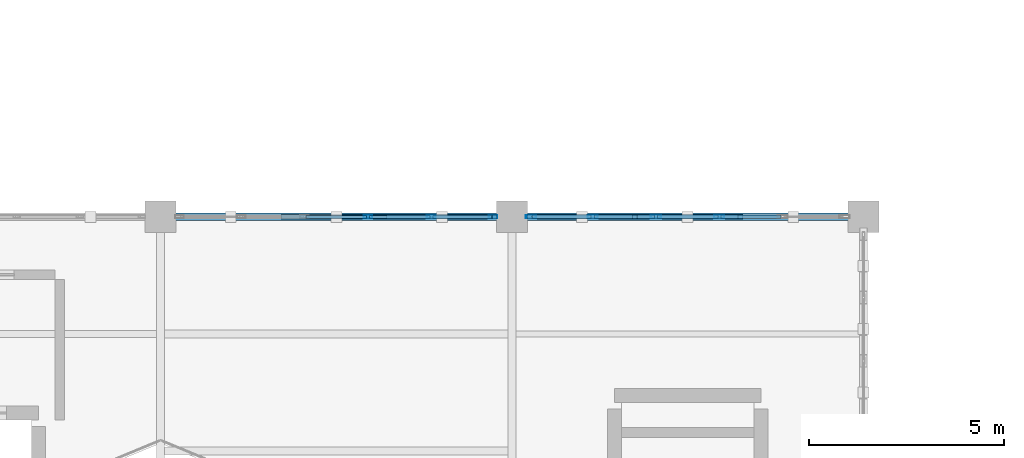
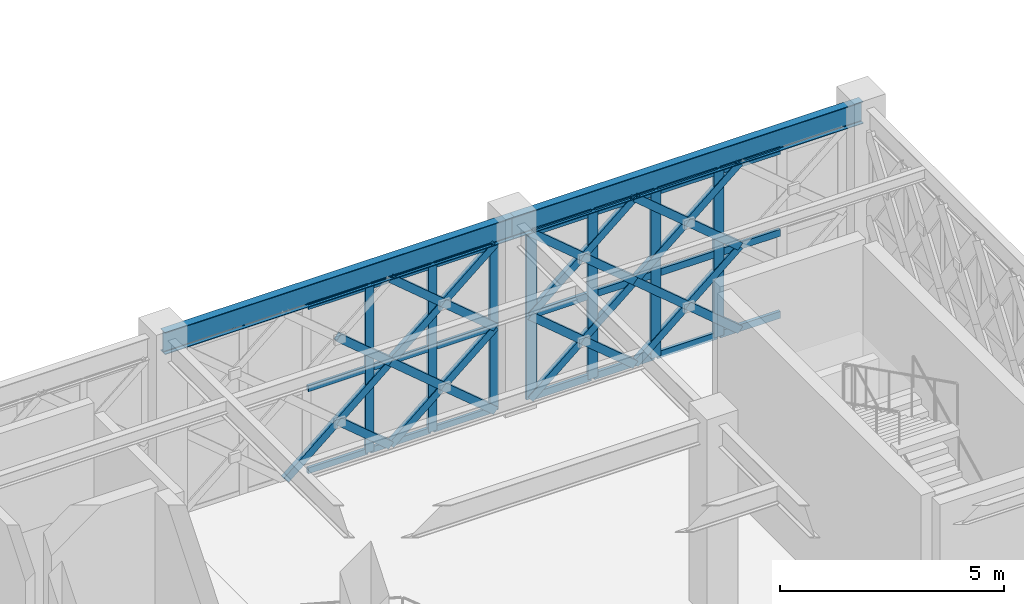
# One storey, part 19 of 86: 49 members, 2 beams, 2 elements without a shape of their own.
"""IFC4 building model written with IfcOpenShell, lengths in metres."""

from ifc_helpers import new_model, si_unit, direction, frame, origin, origin_2d, place, context, subcontext, project, spatial, hollow_rectangle, i_section, extrude, material, material_profile, profile_set, type_object, element, aggregate, save


model = new_model("IFC4")

# Units and contexts
model_context = context("Model", 3, precision=1e-05, world=origin(), true_north=direction((0.0, 1.0)))
body_context = subcontext(model_context, "Body", "Model", "MODEL_VIEW")
ifc_project = project(units=[si_unit("LENGTHUNIT", "METRE"), si_unit("AREAUNIT", "SQUARE_METRE"), si_unit("VOLUMEUNIT", "CUBIC_METRE"), si_unit("PLANEANGLEUNIT", "RADIAN"), si_unit("MASSUNIT", "GRAM", prefix="KILO")], contexts=[model_context])

# Site, building, storey
site_placement = place(None, origin())
site = spatial("IfcSite", under=ifc_project, at=site_placement, CompositionType="ELEMENT")
building_placement = place(site_placement, origin())
building = spatial("IfcBuilding", under=site, at=building_placement, Name="Haizhuo Lancet Aquarium", CompositionType="ELEMENT")
storey_placement = place(building_placement, frame((0.0, 0.0, 16.199951171875)))
storey = spatial("IfcBuildingStorey", under=building, at=storey_placement, Name="L03", CompositionType="ELEMENT", Elevation=16.199951171875)

# Beams
ifc_material_1 = material(Name="Steel S355", Category="steel")
ifc_material_profile_1 = material_profile(ifc_material_1, i_section(OverallWidth=0.199951171875, OverallDepth=0.60009765625, WebThickness=0.010986328125, FlangeThickness=0.01708984375, FilletRadius=0.02197265625, at=origin_2d()), Name="HN 600x200x11x17")
ifc_profile_set_1 = profile_set([ifc_material_profile_1], Name="Steel S355")
beam_type = type_object("IfcBeamType", Name="BM-ST-HN600", PredefinedType="BEAM", material=ifc_profile_set_1)
for number, where, z_axis, x_axis, name in (
    (1, (-54.0, -9.0, 4.85009765625), (1.0, 0.0, 0.0), (0.0, 1.0, 0.0), "L03 V6 primary girder BM-L03-V6-020"),
    (2, (-45.0, -9.0, 4.85009765625), (1.0, 0.0, 0.0), (0.0, 1.0, 0.0), "L03 V6 primary girder BM-L03-V6-026"),
):
    element("IfcBeam", number, at=place(storey_placement, frame(where, z_axis=z_axis, x_axis=x_axis)), inside=storey, type_object=beam_type, Name=name, PredefinedType="BEAM", context=body_context, shape_type="SweptSolid", body=[
        extrude(i_section(OverallWidth=0.199951171875, OverallDepth=0.60009765625, WebThickness=0.010986328125, FlangeThickness=0.01708984375, FilletRadius=0.02197265625, at=origin_2d()), origin(), (0.0, 0.0, 1.0), 9.0),
    ])

# Curtain wall, members
ifc_material_2 = material(Name="Aluminium 6063-T6", Category="aluminium")
curtain_wall_type = type_object("IfcCurtainWallType", Name="CWO-8110x4550", PredefinedType="NOTDEFINED", material=ifc_material_2)
curtain_wall_1_placement = place(storey_placement, origin())
curtain_wall_1 = element("IfcCurtainWall", 3, at=curtain_wall_1_placement, inside=storey, type_object=curtain_wall_type, Name="L03 curtain wall CW-V6-L03-233", PredefinedType="NOTDEFINED")
ifc_material_profile_2 = material_profile(ifc_material_2, hollow_rectangle(XDim=0.074951171875, YDim=0.219970703125, WallThickness=0.0048828125, at=origin_2d()), Name="ALU-M 75x220x5")
ifc_profile_set_2 = profile_set([ifc_material_profile_2], Name="Aluminium 6063-T6")
member_type_1 = type_object("IfcMemberType", Name="CW-MUL-2", PredefinedType="MULLION", material=ifc_profile_set_2)
member_1_placement = place(storey_placement, frame((-48.68896484375, -9.0, 0.0), z_axis=(0.0, 0.0, 1.0), x_axis=(0.0, 1.0, 0.0)))
member_1 = element("IfcMember", 4, at=member_1_placement, type_object=member_type_1, Name="CWO-81x45 mullion 4", PredefinedType="MULLION", context=body_context, shape_type="SweptSolid", body=[
    extrude(hollow_rectangle(XDim=0.074951171875, YDim=0.219970703125, WallThickness=0.0048828125, at=origin_2d()), origin(), (0.0, 0.0, 1.0), 4.550048828125),
])
member_2_placement = place(storey_placement, frame((-47.06689453125, -9.0, 0.0), z_axis=(0.0, 0.0, 1.0), x_axis=(0.0, 1.0, 0.0)))
member_2 = element("IfcMember", 5, at=member_2_placement, type_object=member_type_1, Name="CWO-81x45 mullion 5", PredefinedType="MULLION", context=body_context, shape_type="SweptSolid", body=[
    extrude(hollow_rectangle(XDim=0.074951171875, YDim=0.219970703125, WallThickness=0.0048828125, at=origin_2d()), origin(), (0.0, 0.0, 1.0), 4.550048828125),
])
member_3_placement = place(storey_placement, frame((-45.48291015625, -9.0, 0.0), z_axis=(0.0, 0.0, 1.0), x_axis=(0.0, 1.0, 0.0)))
member_3 = element("IfcMember", 6, at=member_3_placement, type_object=member_type_1, Name="CWO-81x45 mullion 6", PredefinedType="MULLION", context=body_context, shape_type="SweptSolid", body=[
    extrude(hollow_rectangle(XDim=0.074951171875, YDim=0.219970703125, WallThickness=0.0048828125, at=origin_2d()), origin(), (0.0, 0.0, 1.0), 4.550048828125),
])

curtain_wall_2_placement = place(storey_placement, origin())
curtain_wall_2 = element("IfcCurtainWall", 7, at=curtain_wall_2_placement, inside=storey, type_object=curtain_wall_type, Name="L03 curtain wall CW-V6-L03-234", PredefinedType="NOTDEFINED")
ifc_material_profile_3 = material_profile(ifc_material_2, hollow_rectangle(XDim=0.080078125, YDim=0.260009765625, WallThickness=0.0048828125, at=origin_2d()), Name="ALU-M 80x260x5")
ifc_profile_set_3 = profile_set([ifc_material_profile_3], Name="Aluminium 6063-T6")
member_type_2 = type_object("IfcMemberType", Name="CW-MUL-3", PredefinedType="MULLION", material=ifc_profile_set_3)
member_4_placement = place(storey_placement, frame((-44.514892578125, -9.0, 0.0), z_axis=(0.0, 0.0, 1.0), x_axis=(0.0, 1.0, 0.0)))
member_4 = element("IfcMember", 8, at=member_4_placement, type_object=member_type_2, Name="CWO-81x45 mullion 1", PredefinedType="MULLION", context=body_context, shape_type="SweptSolid", body=[
    extrude(hollow_rectangle(XDim=0.080078125, YDim=0.260009765625, WallThickness=0.0048828125, at=origin_2d()), origin(), (0.0, 0.0, 1.0), 4.550048828125),
])
member_5_placement = place(storey_placement, frame((-42.93310546875, -9.0, 0.0), z_axis=(0.0, 0.0, 1.0), x_axis=(0.0, 1.0, 0.0)))
member_5 = element("IfcMember", 9, at=member_5_placement, type_object=member_type_2, Name="CWO-81x45 mullion 2", PredefinedType="MULLION", context=body_context, shape_type="SweptSolid", body=[
    extrude(hollow_rectangle(XDim=0.080078125, YDim=0.260009765625, WallThickness=0.0048828125, at=origin_2d()), origin(), (0.0, 0.0, 1.0), 4.550048828125),
])
member_6_placement = place(storey_placement, frame((-41.31103515625, -9.0, 0.0), z_axis=(0.0, 0.0, 1.0), x_axis=(0.0, 1.0, 0.0)))
member_6 = element("IfcMember", 10, at=member_6_placement, type_object=member_type_2, Name="CWO-81x45 mullion 3", PredefinedType="MULLION", context=body_context, shape_type="SweptSolid", body=[
    extrude(hollow_rectangle(XDim=0.080078125, YDim=0.260009765625, WallThickness=0.0048828125, at=origin_2d()), origin(), (0.0, 0.0, 1.0), 4.550048828125),
])
member_7_placement = place(storey_placement, frame((-39.68896484375, -9.0, 0.0), z_axis=(0.0, 0.0, 1.0), x_axis=(0.0, 1.0, 0.0)))
member_7 = element("IfcMember", 11, at=member_7_placement, type_object=member_type_2, Name="CWO-81x45 mullion 4", PredefinedType="MULLION", context=body_context, shape_type="SweptSolid", body=[
    extrude(hollow_rectangle(XDim=0.080078125, YDim=0.260009765625, WallThickness=0.0048828125, at=origin_2d()), origin(), (0.0, 0.0, 1.0), 4.550048828125),
])

# Member
ifc_material_profile_4 = material_profile(ifc_material_2, hollow_rectangle(XDim=0.074951171875, YDim=0.159912109375, WallThickness=0.00390625, at=origin_2d()), Name="ALU-T 75x160x4")
ifc_profile_set_4 = profile_set([ifc_material_profile_4], Name="Aluminium 6063-T6")
member_type_3 = type_object("IfcMemberType", Name="CW-TRN-2", PredefinedType="NOTDEFINED", material=ifc_profile_set_4)
member_8_placement = place(storey_placement, frame((-50.27294921875, -9.0, 0.0380859375), z_axis=(1.0, 0.0, 0.0), x_axis=(0.0, 1.0, 0.0)))
member_8 = element("IfcMember", 12, at=member_8_placement, type_object=member_type_3, Name="CWO-81x45 transom 3.1", ObjectType="TRANSOM", PredefinedType="USERDEFINED", context=body_context, shape_type="SweptSolid", body=[
    extrude(hollow_rectangle(XDim=0.074951171875, YDim=0.159912109375, WallThickness=0.00390625, at=origin_2d()), origin(), (0.0, 0.0, 1.0), 1.5458984375),
])

member_9_placement = place(storey_placement, frame((-50.27294921875, -9.0, 2.275146484375), z_axis=(1.0, 0.0, 0.0), x_axis=(0.0, 1.0, 0.0)))
member_9 = element("IfcMember", 13, at=member_9_placement, type_object=member_type_3, Name="CWO-81x45 transom 3.2", ObjectType="TRANSOM", PredefinedType="USERDEFINED", context=body_context, shape_type="SweptSolid", body=[
    extrude(hollow_rectangle(XDim=0.074951171875, YDim=0.159912109375, WallThickness=0.00390625, at=origin_2d()), origin(), (0.0, 0.0, 1.0), 1.5458984375),
])

member_10_placement = place(storey_placement, frame((-50.27294921875, -9.0, 4.511962890625), z_axis=(1.0, 0.0, 0.0), x_axis=(0.0, 1.0, 0.0)))
member_10 = element("IfcMember", 14, at=member_10_placement, type_object=member_type_3, Name="CWO-81x45 transom 3.3", ObjectType="TRANSOM", PredefinedType="USERDEFINED", context=body_context, shape_type="SweptSolid", body=[
    extrude(hollow_rectangle(XDim=0.074951171875, YDim=0.159912109375, WallThickness=0.00390625, at=origin_2d()), origin(), (0.0, 0.0, 1.0), 1.5458984375),
])

member_11_placement = place(storey_placement, frame((-48.65087890625, -9.0, 0.0380859375), z_axis=(1.0, 0.0, 0.0), x_axis=(0.0, 1.0, 0.0)))
member_11 = element("IfcMember", 15, at=member_11_placement, type_object=member_type_3, Name="CWO-81x45 transom 4.1", ObjectType="TRANSOM", PredefinedType="USERDEFINED", context=body_context, shape_type="SweptSolid", body=[
    extrude(hollow_rectangle(XDim=0.074951171875, YDim=0.159912109375, WallThickness=0.00390625, at=origin_2d()), origin(), (0.0, 0.0, 1.0), 1.5458984375),
])

member_12_placement = place(storey_placement, frame((-48.65087890625, -9.0, 2.275146484375), z_axis=(1.0, 0.0, 0.0), x_axis=(0.0, 1.0, 0.0)))
member_12 = element("IfcMember", 16, at=member_12_placement, type_object=member_type_3, Name="CWO-81x45 transom 4.2", ObjectType="TRANSOM", PredefinedType="USERDEFINED", context=body_context, shape_type="SweptSolid", body=[
    extrude(hollow_rectangle(XDim=0.074951171875, YDim=0.159912109375, WallThickness=0.00390625, at=origin_2d()), origin(), (0.0, 0.0, 1.0), 1.5458984375),
])

member_13_placement = place(storey_placement, frame((-48.65087890625, -9.0, 4.511962890625), z_axis=(1.0, 0.0, 0.0), x_axis=(0.0, 1.0, 0.0)))
member_13 = element("IfcMember", 17, at=member_13_placement, type_object=member_type_3, Name="CWO-81x45 transom 4.3", ObjectType="TRANSOM", PredefinedType="USERDEFINED", context=body_context, shape_type="SweptSolid", body=[
    extrude(hollow_rectangle(XDim=0.074951171875, YDim=0.159912109375, WallThickness=0.00390625, at=origin_2d()), origin(), (0.0, 0.0, 1.0), 1.5458984375),
])

member_14_placement = place(storey_placement, frame((-47.029052734375, -9.0, 0.0380859375), z_axis=(1.0, 0.0, 0.0), x_axis=(0.0, 1.0, 0.0)))
member_14 = element("IfcMember", 18, at=member_14_placement, type_object=member_type_3, Name="CWO-81x45 transom 5.1", ObjectType="TRANSOM", PredefinedType="USERDEFINED", context=body_context, shape_type="SweptSolid", body=[
    extrude(hollow_rectangle(XDim=0.074951171875, YDim=0.159912109375, WallThickness=0.00390625, at=origin_2d()), origin(), (0.0, 0.0, 1.0), 1.509033203125),
])

member_15_placement = place(storey_placement, frame((-47.029052734375, -9.0, 2.275146484375), z_axis=(1.0, 0.0, 0.0), x_axis=(0.0, 1.0, 0.0)))
member_15 = element("IfcMember", 19, at=member_15_placement, type_object=member_type_3, Name="CWO-81x45 transom 5.2", ObjectType="TRANSOM", PredefinedType="USERDEFINED", context=body_context, shape_type="SweptSolid", body=[
    extrude(hollow_rectangle(XDim=0.074951171875, YDim=0.159912109375, WallThickness=0.00390625, at=origin_2d()), origin(), (0.0, 0.0, 1.0), 1.509033203125),
])

member_16_placement = place(storey_placement, frame((-47.029052734375, -9.0, 4.511962890625), z_axis=(1.0, 0.0, 0.0), x_axis=(0.0, 1.0, 0.0)))
member_16 = element("IfcMember", 20, at=member_16_placement, type_object=member_type_3, Name="CWO-81x45 transom 5.3", ObjectType="TRANSOM", PredefinedType="USERDEFINED", context=body_context, shape_type="SweptSolid", body=[
    extrude(hollow_rectangle(XDim=0.074951171875, YDim=0.159912109375, WallThickness=0.00390625, at=origin_2d()), origin(), (0.0, 0.0, 1.0), 1.509033203125),
])

aggregate(curtain_wall_1, [member_1, member_2, member_3, member_8, member_9, member_10, member_11, member_12, member_13, member_14, member_15, member_16])

ifc_material_profile_5 = material_profile(ifc_material_2, hollow_rectangle(XDim=0.080078125, YDim=0.18994140625, WallThickness=0.0048828125, at=origin_2d()), Name="ALU-T 80x190x5")
ifc_profile_set_5 = profile_set([ifc_material_profile_5], Name="Aluminium 6063-T6")
member_type_4 = type_object("IfcMemberType", Name="CW-TRN-3", PredefinedType="NOTDEFINED", material=ifc_profile_set_5)
member_17_placement = place(storey_placement, frame((-44.47509765625, -9.0, 0.0400390625), z_axis=(1.0, 0.0, 0.0), x_axis=(0.0, 1.0, 0.0)))
member_17 = element("IfcMember", 21, at=member_17_placement, type_object=member_type_4, Name="CWO-81x45 transom 1.1", ObjectType="TRANSOM", PredefinedType="USERDEFINED", context=body_context, shape_type="SweptSolid", body=[
    extrude(hollow_rectangle(XDim=0.080078125, YDim=0.18994140625, WallThickness=0.0048828125, at=origin_2d()), origin(), (0.0, 0.0, 1.0), 1.502197265625),
])

member_18_placement = place(storey_placement, frame((-44.47509765625, -9.0, 2.275146484375), z_axis=(1.0, 0.0, 0.0), x_axis=(0.0, 1.0, 0.0)))
member_18 = element("IfcMember", 22, at=member_18_placement, type_object=member_type_4, Name="CWO-81x45 transom 1.2", ObjectType="TRANSOM", PredefinedType="USERDEFINED", context=body_context, shape_type="SweptSolid", body=[
    extrude(hollow_rectangle(XDim=0.080078125, YDim=0.18994140625, WallThickness=0.0048828125, at=origin_2d()), origin(), (0.0, 0.0, 1.0), 1.502197265625),
])

member_19_placement = place(storey_placement, frame((-44.47509765625, -9.0, 4.510009765625), z_axis=(1.0, 0.0, 0.0), x_axis=(0.0, 1.0, 0.0)))
member_19 = element("IfcMember", 23, at=member_19_placement, type_object=member_type_4, Name="CWO-81x45 transom 1.3", ObjectType="TRANSOM", PredefinedType="USERDEFINED", context=body_context, shape_type="SweptSolid", body=[
    extrude(hollow_rectangle(XDim=0.080078125, YDim=0.18994140625, WallThickness=0.0048828125, at=origin_2d()), origin(), (0.0, 0.0, 1.0), 1.502197265625),
])

member_20_placement = place(storey_placement, frame((-42.89306640625, -9.0, 0.0400390625), z_axis=(1.0, 0.0, 0.0), x_axis=(0.0, 1.0, 0.0)))
member_20 = element("IfcMember", 24, at=member_20_placement, type_object=member_type_4, Name="CWO-81x45 transom 2.1", ObjectType="TRANSOM", PredefinedType="USERDEFINED", context=body_context, shape_type="SweptSolid", body=[
    extrude(hollow_rectangle(XDim=0.080078125, YDim=0.18994140625, WallThickness=0.0048828125, at=origin_2d()), origin(), (0.0, 0.0, 1.0), 1.5419921875),
])

member_21_placement = place(storey_placement, frame((-42.89306640625, -9.0, 2.275146484375), z_axis=(1.0, 0.0, 0.0), x_axis=(0.0, 1.0, 0.0)))
member_21 = element("IfcMember", 25, at=member_21_placement, type_object=member_type_4, Name="CWO-81x45 transom 2.2", ObjectType="TRANSOM", PredefinedType="USERDEFINED", context=body_context, shape_type="SweptSolid", body=[
    extrude(hollow_rectangle(XDim=0.080078125, YDim=0.18994140625, WallThickness=0.0048828125, at=origin_2d()), origin(), (0.0, 0.0, 1.0), 1.5419921875),
])

member_22_placement = place(storey_placement, frame((-42.89306640625, -9.0, 4.510009765625), z_axis=(1.0, 0.0, 0.0), x_axis=(0.0, 1.0, 0.0)))
member_22 = element("IfcMember", 26, at=member_22_placement, type_object=member_type_4, Name="CWO-81x45 transom 2.3", ObjectType="TRANSOM", PredefinedType="USERDEFINED", context=body_context, shape_type="SweptSolid", body=[
    extrude(hollow_rectangle(XDim=0.080078125, YDim=0.18994140625, WallThickness=0.0048828125, at=origin_2d()), origin(), (0.0, 0.0, 1.0), 1.5419921875),
])

member_23_placement = place(storey_placement, frame((-41.27099609375, -9.0, 0.0400390625), z_axis=(1.0, 0.0, 0.0), x_axis=(0.0, 1.0, 0.0)))
member_23 = element("IfcMember", 27, at=member_23_placement, type_object=member_type_4, Name="CWO-81x45 transom 3.1", ObjectType="TRANSOM", PredefinedType="USERDEFINED", context=body_context, shape_type="SweptSolid", body=[
    extrude(hollow_rectangle(XDim=0.080078125, YDim=0.18994140625, WallThickness=0.0048828125, at=origin_2d()), origin(), (0.0, 0.0, 1.0), 1.5419921875),
])

member_24_placement = place(storey_placement, frame((-41.27099609375, -9.0, 2.275146484375), z_axis=(1.0, 0.0, 0.0), x_axis=(0.0, 1.0, 0.0)))
member_24 = element("IfcMember", 28, at=member_24_placement, type_object=member_type_4, Name="CWO-81x45 transom 3.2", ObjectType="TRANSOM", PredefinedType="USERDEFINED", context=body_context, shape_type="SweptSolid", body=[
    extrude(hollow_rectangle(XDim=0.080078125, YDim=0.18994140625, WallThickness=0.0048828125, at=origin_2d()), origin(), (0.0, 0.0, 1.0), 1.5419921875),
])

member_25_placement = place(storey_placement, frame((-41.27099609375, -9.0, 4.510009765625), z_axis=(1.0, 0.0, 0.0), x_axis=(0.0, 1.0, 0.0)))
member_25 = element("IfcMember", 29, at=member_25_placement, type_object=member_type_4, Name="CWO-81x45 transom 3.3", ObjectType="TRANSOM", PredefinedType="USERDEFINED", context=body_context, shape_type="SweptSolid", body=[
    extrude(hollow_rectangle(XDim=0.080078125, YDim=0.18994140625, WallThickness=0.0048828125, at=origin_2d()), origin(), (0.0, 0.0, 1.0), 1.5419921875),
])

member_26_placement = place(storey_placement, frame((-39.64892578125, -9.0, 0.0400390625), z_axis=(1.0, 0.0, 0.0), x_axis=(0.0, 1.0, 0.0)))
member_26 = element("IfcMember", 30, at=member_26_placement, type_object=member_type_4, Name="CWO-81x45 transom 4.1", ObjectType="TRANSOM", PredefinedType="USERDEFINED", context=body_context, shape_type="SweptSolid", body=[
    extrude(hollow_rectangle(XDim=0.080078125, YDim=0.18994140625, WallThickness=0.0048828125, at=origin_2d()), origin(), (0.0, 0.0, 1.0), 1.5419921875),
])

member_27_placement = place(storey_placement, frame((-39.64892578125, -9.0, 2.275146484375), z_axis=(1.0, 0.0, 0.0), x_axis=(0.0, 1.0, 0.0)))
member_27 = element("IfcMember", 31, at=member_27_placement, type_object=member_type_4, Name="CWO-81x45 transom 4.2", ObjectType="TRANSOM", PredefinedType="USERDEFINED", context=body_context, shape_type="SweptSolid", body=[
    extrude(hollow_rectangle(XDim=0.080078125, YDim=0.18994140625, WallThickness=0.0048828125, at=origin_2d()), origin(), (0.0, 0.0, 1.0), 1.5419921875),
])

member_28_placement = place(storey_placement, frame((-39.64892578125, -9.0, 4.510009765625), z_axis=(1.0, 0.0, 0.0), x_axis=(0.0, 1.0, 0.0)))
member_28 = element("IfcMember", 32, at=member_28_placement, type_object=member_type_4, Name="CWO-81x45 transom 4.3", ObjectType="TRANSOM", PredefinedType="USERDEFINED", context=body_context, shape_type="SweptSolid", body=[
    extrude(hollow_rectangle(XDim=0.080078125, YDim=0.18994140625, WallThickness=0.0048828125, at=origin_2d()), origin(), (0.0, 0.0, 1.0), 1.5419921875),
])

aggregate(curtain_wall_2, [member_4, member_5, member_6, member_7, member_17, member_18, member_19, member_20, member_21, member_22, member_23, member_24, member_25, member_26, member_27, member_28])

# Members
ifc_material_profile_6 = material_profile(ifc_material_1, hollow_rectangle(XDim=0.1201171875, YDim=0.199951171875, WallThickness=0.008056640625, at=origin_2d()), Name="RHS 120x200x8")
ifc_profile_set_6 = profile_set([ifc_material_profile_6], Name="Steel S355")
member_type_5 = type_object("IfcMemberType", Name="MEM-LB-RHS120x200", PredefinedType="BRACE", material=ifc_profile_set_6)
member_29_placement = place(storey_placement, frame((-50.85205078125, -9.0, 0.0), z_axis=(0.765188811887, 0.0, 0.643805935173), x_axis=(0.0, 1.0, 0.0)))
element("IfcMember", 33, at=member_29_placement, inside=storey, type_object=member_type_5, Name="Gothic lancet continuous diagonal brace CW-V6-L03-233 3A", PredefinedType="BRACE", context=body_context, shape_type="SweptSolid", body=[
    extrude(hollow_rectangle(XDim=0.1201171875, YDim=0.199951171875, WallThickness=0.008056640625, at=origin_2d()), origin(), (0.0, 0.0, 1.0), 3.533935546875),
])
member_30_placement = place(storey_placement, frame((-48.14794921875, -9.0, 0.0), z_axis=(-0.765358991525, 0.0, 0.643603615661), x_axis=(0.0, -1.0, 0.0)))
element("IfcMember", 34, at=member_30_placement, inside=storey, type_object=member_type_5, Name="Gothic lancet split diagonal brace CW-V6-L03-233 3B1", PredefinedType="BRACE", context=body_context, shape_type="SweptSolid", body=[
    extrude(hollow_rectangle(XDim=0.1201171875, YDim=0.199951171875, WallThickness=0.008056640625, at=origin_2d()), origin(), (0.0, 0.0, 1.0), 1.7666015625),
])
member_31_placement = place(storey_placement, frame((-48.14794921875, -9.0, 2.275146484375), z_axis=(-0.76508671477, 0.0, 0.643927262106), x_axis=(0.0, -1.0, 0.0)))
element("IfcMember", 35, at=member_31_placement, inside=storey, type_object=member_type_5, Name="Gothic lancet split diagonal brace CW-V6-L03-233 4B1", PredefinedType="BRACE", context=body_context, shape_type="SweptSolid", body=[
    extrude(hollow_rectangle(XDim=0.1201171875, YDim=0.199951171875, WallThickness=0.008056640625, at=origin_2d()), origin(), (0.0, 0.0, 1.0), 1.76708984375),
])
member_32_placement = place(storey_placement, frame((-48.14794921875, -9.0, 0.0), z_axis=(0.765045580623, 0.0, 0.643976132764), x_axis=(0.0, 1.0, 0.0)))
element("IfcMember", 36, at=member_32_placement, inside=storey, type_object=member_type_5, Name="Gothic lancet continuous diagonal brace CW-V6-L03-233 5A", PredefinedType="BRACE", context=body_context, shape_type="SweptSolid", body=[
    extrude(hollow_rectangle(XDim=0.1201171875, YDim=0.199951171875, WallThickness=0.008056640625, at=origin_2d()), origin(), (0.0, 0.0, 1.0), 3.532958984375),
])
member_33_placement = place(storey_placement, frame((-45.445068359375, -9.0, 0.0), z_axis=(-0.765358991525, 0.0, 0.643603615661), x_axis=(0.0, -1.0, 0.0)))
element("IfcMember", 37, at=member_33_placement, inside=storey, type_object=member_type_5, Name="Gothic lancet split diagonal brace CW-V6-L03-233 5B1", PredefinedType="BRACE", context=body_context, shape_type="SweptSolid", body=[
    extrude(hollow_rectangle(XDim=0.1201171875, YDim=0.199951171875, WallThickness=0.008056640625, at=origin_2d()), origin(), (0.0, 0.0, 1.0), 1.7666015625),
])
member_34_placement = place(storey_placement, frame((-46.797119140625, -9.0, 1.136962890625), z_axis=(-0.764731962164, 0.0, 0.644348528395), x_axis=(0.0, -1.0, 0.0)))
element("IfcMember", 38, at=member_34_placement, inside=storey, type_object=member_type_5, Name="Gothic lancet split diagonal brace CW-V6-L03-233 5B2", PredefinedType="BRACE", context=body_context, shape_type="SweptSolid", body=[
    extrude(hollow_rectangle(XDim=0.1201171875, YDim=0.199951171875, WallThickness=0.008056640625, at=origin_2d()), origin(), (0.0, 0.0, 1.0), 1.766357421875),
])
member_35_placement = place(storey_placement, frame((-48.14794921875, -9.0, 2.275146484375), z_axis=(0.765079626398, 0.0, 0.64393568411), x_axis=(0.0, 1.0, 0.0)))
element("IfcMember", 39, at=member_35_placement, inside=storey, type_object=member_type_5, Name="Gothic lancet continuous diagonal brace CW-V6-L03-233 6A", PredefinedType="BRACE", context=body_context, shape_type="SweptSolid", body=[
    extrude(hollow_rectangle(XDim=0.1201171875, YDim=0.199951171875, WallThickness=0.008056640625, at=origin_2d()), origin(), (0.0, 0.0, 1.0), 3.53271484375),
])
member_36_placement = place(storey_placement, frame((-45.445068359375, -9.0, 2.275146484375), z_axis=(-0.76508671477, 0.0, 0.643927262106), x_axis=(0.0, -1.0, 0.0)))
element("IfcMember", 40, at=member_36_placement, inside=storey, type_object=member_type_5, Name="Gothic lancet split diagonal brace CW-V6-L03-233 6B1", PredefinedType="BRACE", context=body_context, shape_type="SweptSolid", body=[
    extrude(hollow_rectangle(XDim=0.1201171875, YDim=0.199951171875, WallThickness=0.008056640625, at=origin_2d()), origin(), (0.0, 0.0, 1.0), 1.76708984375),
])
member_37_placement = place(storey_placement, frame((-46.797119140625, -9.0, 3.4130859375), z_axis=(-0.76507253166, 0.0, 0.64394411349), x_axis=(0.0, -1.0, 0.0)))
element("IfcMember", 41, at=member_37_placement, inside=storey, type_object=member_type_5, Name="Gothic lancet split diagonal brace CW-V6-L03-233 6B2", PredefinedType="BRACE", context=body_context, shape_type="SweptSolid", body=[
    extrude(hollow_rectangle(XDim=0.1201171875, YDim=0.199951171875, WallThickness=0.008056640625, at=origin_2d()), origin(), (0.0, 0.0, 1.0), 1.765625),
])
member_38_placement = place(storey_placement, frame((-44.554931640625, -9.0, 0.0), z_axis=(0.765045580623, 0.0, 0.643976132764), x_axis=(0.0, 1.0, 0.0)))
element("IfcMember", 42, at=member_38_placement, inside=storey, type_object=member_type_5, Name="Gothic lancet continuous diagonal brace CW-V6-L03-234 1A", PredefinedType="BRACE", context=body_context, shape_type="SweptSolid", body=[
    extrude(hollow_rectangle(XDim=0.1201171875, YDim=0.199951171875, WallThickness=0.008056640625, at=origin_2d()), origin(), (0.0, 0.0, 1.0), 3.532958984375),
])
member_39_placement = place(storey_placement, frame((-41.85205078125, -9.0, 0.0), z_axis=(-0.76507253166, 0.0, 0.64394411349), x_axis=(0.0, -1.0, 0.0)))
element("IfcMember", 43, at=member_39_placement, inside=storey, type_object=member_type_5, Name="Gothic lancet split diagonal brace CW-V6-L03-234 1B1", PredefinedType="BRACE", context=body_context, shape_type="SweptSolid", body=[
    extrude(hollow_rectangle(XDim=0.1201171875, YDim=0.199951171875, WallThickness=0.008056640625, at=origin_2d()), origin(), (0.0, 0.0, 1.0), 1.765625),
])
member_40_placement = place(storey_placement, frame((-43.202880859375, -9.0, 1.136962890625), z_axis=(-0.765018654477, 0.0, 0.644008119749), x_axis=(0.0, -1.0, 0.0)))
element("IfcMember", 44, at=member_40_placement, inside=storey, type_object=member_type_5, Name="Gothic lancet split diagonal brace CW-V6-L03-234 1B2", PredefinedType="BRACE", context=body_context, shape_type="SweptSolid", body=[
    extrude(hollow_rectangle(XDim=0.1201171875, YDim=0.199951171875, WallThickness=0.008056640625, at=origin_2d()), origin(), (0.0, 0.0, 1.0), 1.767333984375),
])
member_41_placement = place(storey_placement, frame((-44.554931640625, -9.0, 2.275146484375), z_axis=(0.765079626398, 0.0, 0.64393568411), x_axis=(0.0, 1.0, 0.0)))
element("IfcMember", 45, at=member_41_placement, inside=storey, type_object=member_type_5, Name="Gothic lancet continuous diagonal brace CW-V6-L03-234 2A", PredefinedType="BRACE", context=body_context, shape_type="SweptSolid", body=[
    extrude(hollow_rectangle(XDim=0.1201171875, YDim=0.199951171875, WallThickness=0.008056640625, at=origin_2d()), origin(), (0.0, 0.0, 1.0), 3.53271484375),
])
member_42_placement = place(storey_placement, frame((-41.85205078125, -9.0, 2.275146484375), z_axis=(-0.764800068903, 0.0, 0.644267688624), x_axis=(0.0, -1.0, 0.0)))
element("IfcMember", 46, at=member_42_placement, inside=storey, type_object=member_type_5, Name="Gothic lancet split diagonal brace CW-V6-L03-234 2B1", PredefinedType="BRACE", context=body_context, shape_type="SweptSolid", body=[
    extrude(hollow_rectangle(XDim=0.1201171875, YDim=0.199951171875, WallThickness=0.008056640625, at=origin_2d()), origin(), (0.0, 0.0, 1.0), 1.766357421875),
])
member_43_placement = place(storey_placement, frame((-43.202880859375, -9.0, 3.4130859375), z_axis=(-0.765358991525, 0.0, 0.643603615661), x_axis=(0.0, -1.0, 0.0)))
element("IfcMember", 47, at=member_43_placement, inside=storey, type_object=member_type_5, Name="Gothic lancet split diagonal brace CW-V6-L03-234 2B2", PredefinedType="BRACE", context=body_context, shape_type="SweptSolid", body=[
    extrude(hollow_rectangle(XDim=0.1201171875, YDim=0.199951171875, WallThickness=0.008056640625, at=origin_2d()), origin(), (0.0, 0.0, 1.0), 1.7666015625),
])
member_44_placement = place(storey_placement, frame((-41.85205078125, -9.0, 0.0), z_axis=(0.765188811887, 0.0, 0.643805935173), x_axis=(0.0, 1.0, 0.0)))
element("IfcMember", 48, at=member_44_placement, inside=storey, type_object=member_type_5, Name="Gothic lancet continuous diagonal brace CW-V6-L03-234 3A", PredefinedType="BRACE", context=body_context, shape_type="SweptSolid", body=[
    extrude(hollow_rectangle(XDim=0.1201171875, YDim=0.199951171875, WallThickness=0.008056640625, at=origin_2d()), origin(), (0.0, 0.0, 1.0), 3.533935546875),
])
member_45_placement = place(storey_placement, frame((-39.14794921875, -9.0, 0.0), z_axis=(-0.765358991525, 0.0, 0.643603615661), x_axis=(0.0, -1.0, 0.0)))
element("IfcMember", 49, at=member_45_placement, inside=storey, type_object=member_type_5, Name="Gothic lancet split diagonal brace CW-V6-L03-234 3B1", PredefinedType="BRACE", context=body_context, shape_type="SweptSolid", body=[
    extrude(hollow_rectangle(XDim=0.1201171875, YDim=0.199951171875, WallThickness=0.008056640625, at=origin_2d()), origin(), (0.0, 0.0, 1.0), 1.7666015625),
])
member_46_placement = place(storey_placement, frame((-40.5, -9.0, 1.136962890625), z_axis=(-0.765018654477, 0.0, 0.644008119749), x_axis=(0.0, -1.0, 0.0)))
element("IfcMember", 50, at=member_46_placement, inside=storey, type_object=member_type_5, Name="Gothic lancet split diagonal brace CW-V6-L03-234 3B2", PredefinedType="BRACE", context=body_context, shape_type="SweptSolid", body=[
    extrude(hollow_rectangle(XDim=0.1201171875, YDim=0.199951171875, WallThickness=0.008056640625, at=origin_2d()), origin(), (0.0, 0.0, 1.0), 1.767333984375),
])
member_47_placement = place(storey_placement, frame((-41.85205078125, -9.0, 2.275146484375), z_axis=(0.765222846038, 0.0, 0.643765482068), x_axis=(0.0, 1.0, 0.0)))
element("IfcMember", 51, at=member_47_placement, inside=storey, type_object=member_type_5, Name="Gothic lancet continuous diagonal brace CW-V6-L03-234 4A", PredefinedType="BRACE", context=body_context, shape_type="SweptSolid", body=[
    extrude(hollow_rectangle(XDim=0.1201171875, YDim=0.199951171875, WallThickness=0.008056640625, at=origin_2d()), origin(), (0.0, 0.0, 1.0), 3.53369140625),
])
member_48_placement = place(storey_placement, frame((-39.14794921875, -9.0, 2.275146484375), z_axis=(-0.76508671477, 0.0, 0.643927262106), x_axis=(0.0, -1.0, 0.0)))
element("IfcMember", 52, at=member_48_placement, inside=storey, type_object=member_type_5, Name="Gothic lancet split diagonal brace CW-V6-L03-234 4B1", PredefinedType="BRACE", context=body_context, shape_type="SweptSolid", body=[
    extrude(hollow_rectangle(XDim=0.1201171875, YDim=0.199951171875, WallThickness=0.008056640625, at=origin_2d()), origin(), (0.0, 0.0, 1.0), 1.76708984375),
])
member_49_placement = place(storey_placement, frame((-40.5, -9.0, 3.4130859375), z_axis=(-0.765358991525, 0.0, 0.643603615661), x_axis=(0.0, -1.0, 0.0)))
element("IfcMember", 53, at=member_49_placement, inside=storey, type_object=member_type_5, Name="Gothic lancet split diagonal brace CW-V6-L03-234 4B2", PredefinedType="BRACE", context=body_context, shape_type="SweptSolid", body=[
    extrude(hollow_rectangle(XDim=0.1201171875, YDim=0.199951171875, WallThickness=0.008056640625, at=origin_2d()), origin(), (0.0, 0.0, 1.0), 1.7666015625),
])

save(model, "model.ifc")
